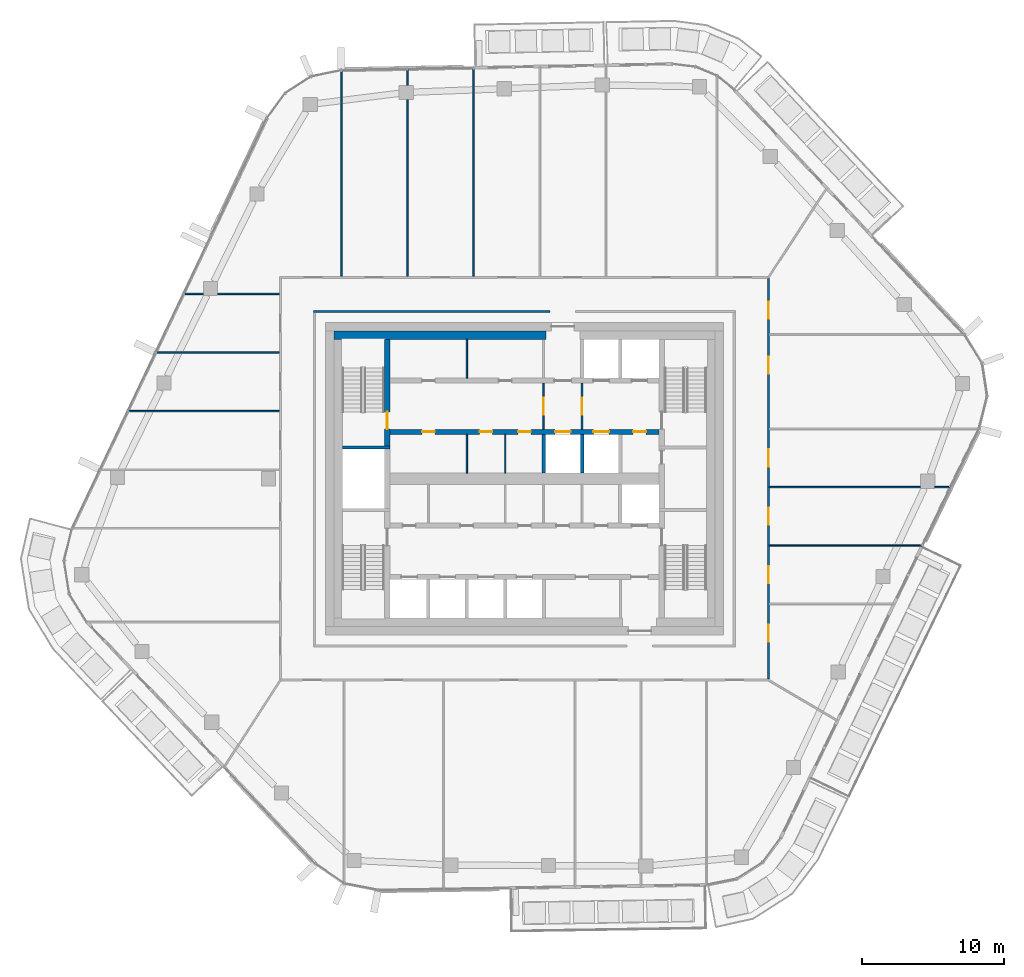
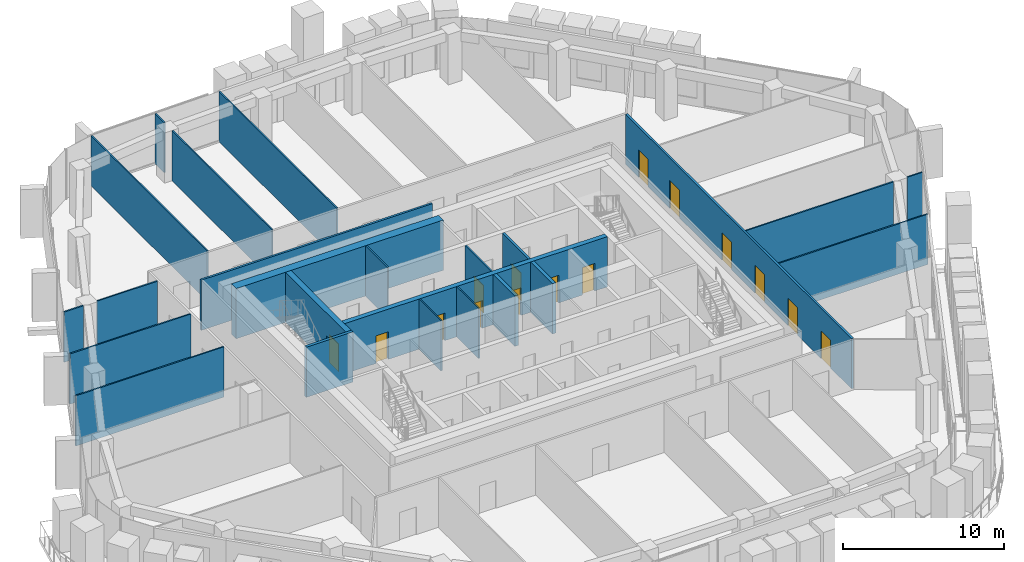
# One storey, part 15 of 24: 24 walls, 15 doors, 15 openings.
"""IFC4 building model written with IfcOpenShell, lengths in metres."""

from ifc_helpers import new_model, si_unit, direction, frame, frame_2d, origin, place, context, subcontext, project, spatial, rectangle, extrude, material, layer, layer_set, type_object, element, fill, save


model = new_model("IFC4")

# Units and contexts
model_context = context("Model", 3, precision=1e-05, world=origin(), true_north=direction((0.0, 1.0)))
body_context = subcontext(model_context, "Body", "Model", "MODEL_VIEW")
ifc_project = project(units=[si_unit("LENGTHUNIT", "METRE"), si_unit("AREAUNIT", "SQUARE_METRE"), si_unit("VOLUMEUNIT", "CUBIC_METRE"), si_unit("PLANEANGLEUNIT", "RADIAN"), si_unit("MASSUNIT", "GRAM", prefix="KILO")], contexts=[model_context])

# Site, building, storey
site_placement = place(None, origin())
site = spatial("IfcSite", under=ifc_project, at=site_placement, CompositionType="ELEMENT")
building_placement = place(site_placement, origin())
building = spatial("IfcBuilding", under=site, at=building_placement, Name="Dongbaek Canopy Tower", CompositionType="ELEMENT")
storey_placement = place(building_placement, frame((0.0, 0.0, 302.60009765625)))
storey = spatial("IfcBuildingStorey", under=building, at=storey_placement, Name="L64", CompositionType="ELEMENT", Elevation=302.60009765625)

# Wall, openings, doors
ifc_material_1 = material(Name="Concrete C60/75", Category="concrete")
ifc_layer_1 = layer(ifc_material_1, 0.35009765625)
ifc_layer_set_1 = layer_set([ifc_layer_1], Name="Core lobby wall 350 Concrete C60/75")
wall_type_1 = type_object("IfcWallType", Name="Core lobby wall 350 Concrete C60/75", PredefinedType="SHEAR", material=ifc_layer_set_1)
wall_1_placement = place(storey_placement, frame((9.449951171875, 3.300048828125, 0.0), z_axis=(0.0, 0.0, 1.0), x_axis=(-1.0, 0.0, 0.0)))
wall_1 = element("IfcWall", 1, at=wall_1_placement, inside=storey, type_object=wall_type_1, Name="Core wall", PredefinedType="SHEAR", context=body_context, shape_type="SweptSolid", body=[
    extrude(rectangle(XDim=18.89990234375, YDim=0.35009765625, at=frame_2d((9.449951171875, 0.0))), origin(), (0.0, 0.0, 1.0), 3.81982421875),
])
opening_1_placement = place(wall_1_placement, frame((6.199951171875, 0.0, 0.0)))
opening_1 = element("IfcOpeningElement", 2, at=opening_1_placement, cuts=wall_1, Name="Opening L64-D031", PredefinedType="OPENING", context=body_context, shape_type="SweptSolid", body=[
    extrude(rectangle(XDim=1.10009765625, YDim=2.10009765625, at=frame_2d((0.550048828125, 1.050048828125))), frame((0.0, 0.18505859375, 0.0), z_axis=(0.0, -1.0, 0.0), x_axis=(1.0, 0.0, 0.0)), (0.0, 0.0, 1.0), 0.3701171875),
])
opening_2_placement = place(wall_1_placement, frame((3.5, 0.0, 0.0)))
opening_2 = element("IfcOpeningElement", 3, at=opening_2_placement, cuts=wall_1, Name="Opening L64-D032", PredefinedType="OPENING", context=body_context, shape_type="SweptSolid", body=[
    extrude(rectangle(XDim=1.10009765625, YDim=2.10009765625, at=frame_2d((0.550048828125, 1.050048828125))), frame((0.0, 0.18505859375, 0.0), z_axis=(0.0, -1.0, 0.0), x_axis=(1.0, 0.0, 0.0)), (0.0, 0.0, 1.0), 0.3701171875),
])
opening_3_placement = place(wall_1_placement, frame((0.89990234375, 0.0, 0.0)))
opening_3 = element("IfcOpeningElement", 4, at=opening_3_placement, cuts=wall_1, Name="Opening L64-D033", PredefinedType="OPENING", context=body_context, shape_type="SweptSolid", body=[
    extrude(rectangle(XDim=0.89990234375, YDim=2.10009765625, at=frame_2d((0.449951171875, 1.050048828125))), frame((0.0, 0.18505859375, 0.0), z_axis=(0.0, -1.0, 0.0), x_axis=(1.0, 0.0, 0.0)), (0.0, 0.0, 1.0), 0.3701171875),
])
opening_4_placement = place(wall_1_placement, frame((15.75, 0.0, 0.0)))
opening_4 = element("IfcOpeningElement", 5, at=opening_4_placement, cuts=wall_1, Name="Opening L64-D043", PredefinedType="OPENING", context=body_context, shape_type="SweptSolid", body=[
    extrude(rectangle(XDim=0.89990234375, YDim=2.10009765625, at=frame_2d((0.449951171875, 1.050048828125))), frame((0.0, 0.18505859375, 0.0), z_axis=(0.0, -1.0, 0.0), x_axis=(1.0, 0.0, 0.0)), (0.0, 0.0, 1.0), 0.3701171875),
])
opening_5_placement = place(wall_1_placement, frame((11.699951171875, 0.0, 0.0)))
opening_5 = element("IfcOpeningElement", 6, at=opening_5_placement, cuts=wall_1, Name="Opening L64-D044", PredefinedType="OPENING", context=body_context, shape_type="SweptSolid", body=[
    extrude(rectangle(XDim=0.89990234375, YDim=2.10009765625, at=frame_2d((0.449951171875, 1.050048828125))), frame((0.0, 0.18505859375, 0.0), z_axis=(0.0, -1.0, 0.0), x_axis=(1.0, 0.0, 0.0)), (0.0, 0.0, 1.0), 0.3701171875),
])
opening_6_placement = place(wall_1_placement, frame((9.0, 0.0, 0.0)))
opening_6 = element("IfcOpeningElement", 7, at=opening_6_placement, cuts=wall_1, Name="Opening L64-D045", PredefinedType="OPENING", context=body_context, shape_type="SweptSolid", body=[
    extrude(rectangle(XDim=0.89990234375, YDim=2.10009765625, at=frame_2d((0.449951171875, 1.050048828125))), frame((0.0, 0.18505859375, 0.0), z_axis=(0.0, -1.0, 0.0), x_axis=(1.0, 0.0, 0.0)), (0.0, 0.0, 1.0), 0.3701171875),
])
ifc_material_2 = material(Name="Steel", Category="steel")
door_type_1 = type_object("IfcDoorType", Name="Core room door 900 x 2100", OperationType="SINGLE_SWING_LEFT", PredefinedType="DOOR", material=ifc_material_2)
door_1_placement = place(opening_3_placement, origin())
door_1 = element("IfcDoor", 8, at=door_1_placement, inside=storey, type_object=door_type_1, Name="Door L64-D033", OperationType="SINGLE_SWING_LEFT", OverallHeight=2.10009765625, OverallWidth=0.89990234375, PredefinedType="DOOR", context=body_context, shape_type="SweptSolid", body=[
    extrude(rectangle(XDim=0.89990234375, YDim=2.10009765625, at=frame_2d((0.449951171875, 1.050048828125))), frame((0.0, 0.02490234375, 0.0), z_axis=(0.0, -1.0, 0.0), x_axis=(1.0, 0.0, 0.0)), (0.0, 0.0, 1.0), 0.050048828125),
])
fill(opening_3, door_1)
door_2_placement = place(opening_4_placement, origin())
door_2 = element("IfcDoor", 9, at=door_2_placement, inside=storey, type_object=door_type_1, Name="Door L64-D043", OperationType="SINGLE_SWING_RIGHT", OverallHeight=2.10009765625, OverallWidth=0.89990234375, PredefinedType="DOOR", context=body_context, shape_type="SweptSolid", body=[
    extrude(rectangle(XDim=0.89990234375, YDim=2.10009765625, at=frame_2d((0.449951171875, 1.050048828125))), frame((0.0, 0.02490234375, 0.0), z_axis=(0.0, -1.0, 0.0), x_axis=(1.0, 0.0, 0.0)), (0.0, 0.0, 1.0), 0.050048828125),
])
fill(opening_4, door_2)
door_3_placement = place(opening_5_placement, origin())
door_3 = element("IfcDoor", 10, at=door_3_placement, inside=storey, type_object=door_type_1, Name="Door L64-D044", OperationType="SINGLE_SWING_LEFT", OverallHeight=2.10009765625, OverallWidth=0.89990234375, PredefinedType="DOOR", context=body_context, shape_type="SweptSolid", body=[
    extrude(rectangle(XDim=0.89990234375, YDim=2.10009765625, at=frame_2d((0.449951171875, 1.050048828125))), frame((0.0, 0.02490234375, 0.0), z_axis=(0.0, -1.0, 0.0), x_axis=(1.0, 0.0, 0.0)), (0.0, 0.0, 1.0), 0.050048828125),
])
fill(opening_5, door_3)
door_4_placement = place(opening_6_placement, origin())
door_4 = element("IfcDoor", 11, at=door_4_placement, inside=storey, type_object=door_type_1, Name="Door L64-D045", OperationType="SINGLE_SWING_RIGHT", OverallHeight=2.10009765625, OverallWidth=0.89990234375, PredefinedType="DOOR", context=body_context, shape_type="SweptSolid", body=[
    extrude(rectangle(XDim=0.89990234375, YDim=2.10009765625, at=frame_2d((0.449951171875, 1.050048828125))), frame((0.0, 0.02490234375, 0.0), z_axis=(0.0, -1.0, 0.0), x_axis=(1.0, 0.0, 0.0)), (0.0, 0.0, 1.0), 0.050048828125),
])
fill(opening_6, door_4)
ifc_material_3 = material(Name="Stainless steel", Category="steel")
door_type_2 = type_object("IfcDoorType", Name="Lift landing door 1100 x 2100", OperationType="DOUBLE_DOOR_SLIDING", PredefinedType="DOOR", material=ifc_material_3)
door_5_placement = place(opening_1_placement, origin())
door_5 = element("IfcDoor", 12, at=door_5_placement, inside=storey, type_object=door_type_2, Name="Landing door SV1", OperationType="DOUBLE_DOOR_SLIDING", OverallHeight=2.10009765625, OverallWidth=1.10009765625, PredefinedType="DOOR", context=body_context, shape_type="SweptSolid", body=[
    extrude(rectangle(XDim=1.10009765625, YDim=2.10009765625, at=frame_2d((0.550048828125, 1.050048828125))), frame((0.0, 0.02490234375, 0.0), z_axis=(0.0, -1.0, 0.0), x_axis=(1.0, 0.0, 0.0)), (0.0, 0.0, 1.0), 0.050048828125),
])
fill(opening_1, door_5)
door_6_placement = place(opening_2_placement, origin())
door_6 = element("IfcDoor", 13, at=door_6_placement, inside=storey, type_object=door_type_2, Name="Landing door FF3", OperationType="DOUBLE_DOOR_SLIDING", OverallHeight=2.10009765625, OverallWidth=1.10009765625, PredefinedType="DOOR", context=body_context, shape_type="SweptSolid", body=[
    extrude(rectangle(XDim=1.10009765625, YDim=2.10009765625, at=frame_2d((0.550048828125, 1.050048828125))), frame((0.0, 0.02490234375, 0.0), z_axis=(0.0, -1.0, 0.0), x_axis=(1.0, 0.0, 0.0)), (0.0, 0.0, 1.0), 0.050048828125),
])
fill(opening_2, door_6)

# Walls
ifc_material_4 = material(Name="Concrete C60/75", Category="concrete")
ifc_layer_2 = layer(ifc_material_4, 0.60009765625)
ifc_layer_set_2 = layer_set([ifc_layer_2], Name="Core wall lining 600 Concrete C60/75")
wall_type_2 = type_object("IfcWallType", Name="Core wall lining 600 Concrete C60/75", PredefinedType="SHEAR", material=ifc_layer_set_2)
wall_2_placement = place(storey_placement, frame((-13.39990234375, 10.10009765625, 0.0), z_axis=(0.0, 0.0, 1.0), x_axis=(1.0, 0.0, 0.0)))
element("IfcWall", 14, at=wall_2_placement, inside=storey, type_object=wall_type_2, Name="Core wall lining", PredefinedType="SHEAR", context=body_context, shape_type="SweptSolid", body=[
    extrude(rectangle(XDim=14.89990234375, YDim=0.60009765625, at=frame_2d((7.449951171875, 0.0))), origin(), (0.0, 0.0, 1.0), 3.81982421875),
])
ifc_material_5 = material(Name="Gypsum board partition, steel stud, 2 x 15 mm fire board", Category="steel")
ifc_layer_3 = layer(ifc_material_5, 0.14990234375)
ifc_layer_set_3 = layer_set([ifc_layer_3], Name="Fire-rated partition 150 gypsum board")
wall_type_3 = type_object("IfcWallType", Name="Fire-rated partition 150 gypsum board", PredefinedType="PARTITIONING", material=ifc_layer_set_3)
wall_3_placement = place(storey_placement, frame((-14.824951171875, 11.75, 0.0), z_axis=(0.0, 0.0, 1.0), x_axis=(1.0, 0.0, 0.0)))
element("IfcWall", 15, at=wall_3_placement, inside=storey, type_object=wall_type_3, Name="Corridor partition", PredefinedType="PARTITIONING", context=body_context, shape_type="SweptSolid", body=[
    extrude(rectangle(XDim=16.625, YDim=0.14990234375, at=frame_2d((8.3125, 0.0))), origin(), (0.0, 0.0, 1.0), 3.81982421875),
])

# Wall, openings, doors
wall_4_placement = place(storey_placement, frame((17.14990234375, 14.074951171875, 0.0), z_axis=(0.0, 0.0, 1.0), x_axis=(0.0, -1.0, 0.0)))
wall_4 = element("IfcWall", 16, at=wall_4_placement, inside=storey, type_object=wall_type_3, Name="Corridor partition", PredefinedType="PARTITIONING", context=body_context, shape_type="SweptSolid", body=[
    extrude(rectangle(XDim=28.14990234375, YDim=0.14990234375, at=frame_2d((14.074951171875, 0.0))), origin(), (0.0, 0.0, 1.0), 3.81982421875),
])
opening_7_placement = place(wall_4_placement, frame((24.325927734375, 0.0, 0.0)))
opening_7 = element("IfcOpeningElement", 17, at=opening_7_placement, cuts=wall_4, Name="Opening L64-D010", PredefinedType="OPENING", context=body_context, shape_type="SweptSolid", body=[
    extrude(rectangle(XDim=1.199951171875, YDim=2.10009765625, at=frame_2d((0.60009765625, 1.050048828125))), frame((0.0, 0.0849609375, 0.0), z_axis=(0.0, -1.0, 0.0), x_axis=(1.0, 0.0, 0.0)), (0.0, 0.0, 1.0), 0.169921875),
])
opening_8_placement = place(wall_4_placement, frame((20.219970703125, 0.0, 0.0)))
opening_8 = element("IfcOpeningElement", 18, at=opening_8_placement, cuts=wall_4, Name="Opening L64-D011", PredefinedType="OPENING", context=body_context, shape_type="SweptSolid", body=[
    extrude(rectangle(XDim=1.199951171875, YDim=2.10009765625, at=frame_2d((0.60009765625, 1.050048828125))), frame((0.0, 0.0849609375, 0.0), z_axis=(0.0, -1.0, 0.0), x_axis=(1.0, 0.0, 0.0)), (0.0, 0.0, 1.0), 0.169921875),
])
opening_9_placement = place(wall_4_placement, frame((16.114013671875, 0.0, 0.0)))
opening_9 = element("IfcOpeningElement", 19, at=opening_9_placement, cuts=wall_4, Name="Opening L64-D012", PredefinedType="OPENING", context=body_context, shape_type="SweptSolid", body=[
    extrude(rectangle(XDim=1.199951171875, YDim=2.10009765625, at=frame_2d((0.60009765625, 1.050048828125))), frame((0.0, 0.0849609375, 0.0), z_axis=(0.0, -1.0, 0.0), x_axis=(1.0, 0.0, 0.0)), (0.0, 0.0, 1.0), 0.169921875),
])
opening_10_placement = place(wall_4_placement, frame((12.012451171875, 0.0, 0.0)))
opening_10 = element("IfcOpeningElement", 20, at=opening_10_placement, cuts=wall_4, Name="Opening L64-D013", PredefinedType="OPENING", context=body_context, shape_type="SweptSolid", body=[
    extrude(rectangle(XDim=1.199951171875, YDim=2.10009765625, at=frame_2d((0.60009765625, 1.050048828125))), frame((0.0, 0.0849609375, 0.0), z_axis=(0.0, -1.0, 0.0), x_axis=(1.0, 0.0, 0.0)), (0.0, 0.0, 1.0), 0.169921875),
])
opening_11_placement = place(wall_4_placement, frame((5.50439453125, 0.0, 0.0)))
opening_11 = element("IfcOpeningElement", 21, at=opening_11_placement, cuts=wall_4, Name="Opening L64-D014", PredefinedType="OPENING", context=body_context, shape_type="SweptSolid", body=[
    extrude(rectangle(XDim=1.199951171875, YDim=2.10009765625, at=frame_2d((0.60009765625, 1.050048828125))), frame((0.0, 0.0849609375, 0.0), z_axis=(0.0, -1.0, 0.0), x_axis=(1.0, 0.0, 0.0)), (0.0, 0.0, 1.0), 0.169921875),
])
opening_12_placement = place(wall_4_placement, frame((1.6220703125, 0.0, 0.0)))
opening_12 = element("IfcOpeningElement", 22, at=opening_12_placement, cuts=wall_4, Name="Opening L64-D015", PredefinedType="OPENING", context=body_context, shape_type="SweptSolid", body=[
    extrude(rectangle(XDim=1.199951171875, YDim=2.10009765625, at=frame_2d((0.60009765625, 1.050048828125))), frame((0.0, 0.0849609375, 0.0), z_axis=(0.0, -1.0, 0.0), x_axis=(1.0, 0.0, 0.0)), (0.0, 0.0, 1.0), 0.169921875),
])
ifc_material_6 = material(Name="Timber veneered door leaf", Category="wood")
door_type_3 = type_object("IfcDoorType", Name="Room door 1200 x 2100", OperationType="SINGLE_SWING_LEFT", PredefinedType="DOOR", material=ifc_material_6)
door_7_placement = place(opening_7_placement, origin())
door_7 = element("IfcDoor", 23, at=door_7_placement, inside=storey, type_object=door_type_3, Name="Door L64-D010", OperationType="SINGLE_SWING_LEFT", OverallHeight=2.10009765625, OverallWidth=1.199951171875, PredefinedType="DOOR", context=body_context, shape_type="SweptSolid", body=[
    extrude(rectangle(XDim=1.199951171875, YDim=2.10009765625, at=frame_2d((0.60009765625, 1.050048828125))), frame((0.0, 0.02490234375, 0.0), z_axis=(0.0, -1.0, 0.0), x_axis=(1.0, 0.0, 0.0)), (0.0, 0.0, 1.0), 0.050048828125),
])
fill(opening_7, door_7)
door_8_placement = place(opening_8_placement, origin())
door_8 = element("IfcDoor", 24, at=door_8_placement, inside=storey, type_object=door_type_3, Name="Door L64-D011", OperationType="SINGLE_SWING_RIGHT", OverallHeight=2.10009765625, OverallWidth=1.199951171875, PredefinedType="DOOR", context=body_context, shape_type="SweptSolid", body=[
    extrude(rectangle(XDim=1.199951171875, YDim=2.10009765625, at=frame_2d((0.60009765625, 1.050048828125))), frame((0.0, 0.02490234375, 0.0), z_axis=(0.0, -1.0, 0.0), x_axis=(1.0, 0.0, 0.0)), (0.0, 0.0, 1.0), 0.050048828125),
])
fill(opening_8, door_8)
door_9_placement = place(opening_9_placement, origin())
door_9 = element("IfcDoor", 25, at=door_9_placement, inside=storey, type_object=door_type_3, Name="Door L64-D012", OperationType="SINGLE_SWING_LEFT", OverallHeight=2.10009765625, OverallWidth=1.199951171875, PredefinedType="DOOR", context=body_context, shape_type="SweptSolid", body=[
    extrude(rectangle(XDim=1.199951171875, YDim=2.10009765625, at=frame_2d((0.60009765625, 1.050048828125))), frame((0.0, 0.02490234375, 0.0), z_axis=(0.0, -1.0, 0.0), x_axis=(1.0, 0.0, 0.0)), (0.0, 0.0, 1.0), 0.050048828125),
])
fill(opening_9, door_9)
door_10_placement = place(opening_10_placement, origin())
door_10 = element("IfcDoor", 26, at=door_10_placement, inside=storey, type_object=door_type_3, Name="Door L64-D013", OperationType="SINGLE_SWING_RIGHT", OverallHeight=2.10009765625, OverallWidth=1.199951171875, PredefinedType="DOOR", context=body_context, shape_type="SweptSolid", body=[
    extrude(rectangle(XDim=1.199951171875, YDim=2.10009765625, at=frame_2d((0.60009765625, 1.050048828125))), frame((0.0, 0.02490234375, 0.0), z_axis=(0.0, -1.0, 0.0), x_axis=(1.0, 0.0, 0.0)), (0.0, 0.0, 1.0), 0.050048828125),
])
fill(opening_10, door_10)
door_11_placement = place(opening_11_placement, origin())
door_11 = element("IfcDoor", 27, at=door_11_placement, inside=storey, type_object=door_type_3, Name="Door L64-D014", OperationType="SINGLE_SWING_LEFT", OverallHeight=2.10009765625, OverallWidth=1.199951171875, PredefinedType="DOOR", context=body_context, shape_type="SweptSolid", body=[
    extrude(rectangle(XDim=1.199951171875, YDim=2.10009765625, at=frame_2d((0.60009765625, 1.050048828125))), frame((0.0, 0.02490234375, 0.0), z_axis=(0.0, -1.0, 0.0), x_axis=(1.0, 0.0, 0.0)), (0.0, 0.0, 1.0), 0.050048828125),
])
fill(opening_11, door_11)
door_12_placement = place(opening_12_placement, origin())
door_12 = element("IfcDoor", 28, at=door_12_placement, inside=storey, type_object=door_type_3, Name="Door L64-D015", OperationType="SINGLE_SWING_RIGHT", OverallHeight=2.10009765625, OverallWidth=1.199951171875, PredefinedType="DOOR", context=body_context, shape_type="SweptSolid", body=[
    extrude(rectangle(XDim=1.199951171875, YDim=2.10009765625, at=frame_2d((0.60009765625, 1.050048828125))), frame((0.0, 0.02490234375, 0.0), z_axis=(0.0, -1.0, 0.0), x_axis=(1.0, 0.0, 0.0)), (0.0, 0.0, 1.0), 0.050048828125),
])
fill(opening_12, door_12)

# Wall, opening, door
wall_5_placement = place(storey_placement, frame((4.050048828125, 6.72509765625, 0.0), z_axis=(0.0, 0.0, 1.0), x_axis=(0.0, -1.0, 0.0)))
wall_5 = element("IfcWall", 29, at=wall_5_placement, inside=storey, type_object=wall_type_3, Name="Fire lobby partition", PredefinedType="PARTITIONING", context=body_context, shape_type="SweptSolid", body=[
    extrude(rectangle(XDim=3.25, YDim=0.14990234375, at=frame_2d((1.625, 0.0))), origin(), (0.0, 0.0, 1.0), 3.81982421875),
])
opening_13_placement = place(wall_5_placement, frame((1.02490234375, 0.0, 0.0)))
opening_13 = element("IfcOpeningElement", 30, at=opening_13_placement, cuts=wall_5, Name="Opening L64-D057", PredefinedType="OPENING", context=body_context, shape_type="SweptSolid", body=[
    extrude(rectangle(XDim=1.199951171875, YDim=2.10009765625, at=frame_2d((0.60009765625, 1.050048828125))), frame((0.0, 0.0849609375, 0.0), z_axis=(0.0, -1.0, 0.0), x_axis=(1.0, 0.0, 0.0)), (0.0, 0.0, 1.0), 0.169921875),
])
ifc_material_7 = material(Name="Steel", Category="steel")
door_type_4 = type_object("IfcDoorType", Name="Fire lobby door 1200 x 2100", OperationType="SINGLE_SWING_LEFT", PredefinedType="DOOR", material=ifc_material_7)
door_13_placement = place(opening_13_placement, origin())
door_13 = element("IfcDoor", 31, at=door_13_placement, inside=storey, type_object=door_type_4, Name="Door L64-D057", OperationType="SINGLE_SWING_RIGHT", OverallHeight=2.10009765625, OverallWidth=1.199951171875, PredefinedType="DOOR", context=body_context, shape_type="SweptSolid", body=[
    extrude(rectangle(XDim=1.199951171875, YDim=2.10009765625, at=frame_2d((0.60009765625, 1.050048828125))), frame((0.0, 0.02490234375, 0.0), z_axis=(0.0, -1.0, 0.0), x_axis=(1.0, 0.0, 0.0)), (0.0, 0.0, 1.0), 0.050048828125),
])
fill(opening_13, door_13)

# Walls
ifc_material_8 = material(Name="Concrete C40/50", Category="concrete")
ifc_layer_4 = layer(ifc_material_8, 0.25)
ifc_layer_set_4 = layer_set([ifc_layer_4], Name="Lift shaft wall 250 Concrete C40/50")
wall_type_4 = type_object("IfcWallType", Name="Lift shaft wall 250 Concrete C40/50", PredefinedType="SOLIDWALL", material=ifc_layer_set_4)
for number, where, z_axis, x_axis, name in (
    (32, (4.050048828125, 0.39990234375, 0.0), (0.0, 0.0, 1.0), (0.0, 1.0, 0.0), "Lift shaft wall"),
    (33, (1.35009765625, 0.39990234375, 0.0), (0.0, 0.0, 1.0), (0.0, 1.0, 0.0), "Lift shaft wall"),
):
    element("IfcWall", number, at=place(storey_placement, frame(where, z_axis=z_axis, x_axis=x_axis)), inside=storey, type_object=wall_type_4, Name=name, PredefinedType="SOLIDWALL", context=body_context, shape_type="SweptSolid", body=[
        extrude(rectangle(XDim=2.72509765625, YDim=0.25, at=frame_2d((1.362548828125, 0.0))), origin(), (0.0, 0.0, 1.0), 3.81982421875),
    ])
ifc_material_9 = material(Name="Gypsum board partition, steel stud, 2 x 12.5 mm board", Category="steel")
ifc_layer_5 = layer(ifc_material_9, 0.10009765625)
ifc_layer_set_5 = layer_set([ifc_layer_5], Name="Partition 100 gypsum board")
wall_type_5 = type_object("IfcWallType", Name="Partition 100 gypsum board", PredefinedType="PARTITIONING", material=ifc_layer_set_5)
wall_6_placement = place(storey_placement, frame((17.22509765625, -4.69189453125, 0.0), z_axis=(0.0, 0.0, 1.0), x_axis=(1.0, 0.0, 0.0)))
element("IfcWall", 34, at=wall_6_placement, inside=storey, type_object=wall_type_5, Name="Partition", PredefinedType="PARTITIONING", context=body_context, shape_type="SweptSolid", body=[
    extrude(rectangle(XDim=10.723388671875, YDim=0.10009765625, at=frame_2d((5.36181640625, 0.0))), origin(), (0.0, 0.0, 1.0), 3.81982421875),
])
wall_7_placement = place(storey_placement, frame((17.22509765625, -0.5859375, 0.0), z_axis=(0.0, 0.0, 1.0), x_axis=(1.0, 0.0, 0.0)))
element("IfcWall", 35, at=wall_7_placement, inside=storey, type_object=wall_type_5, Name="Partition", PredefinedType="PARTITIONING", context=body_context, shape_type="SweptSolid", body=[
    extrude(rectangle(XDim=10.6259765625, YDim=0.10009765625, at=frame_2d((5.31298828125, 0.0))), origin(), (0.0, 0.0, 1.0), 3.81982421875),
])
wall_8_placement = place(storey_placement, frame((28.85107421875, -0.5859375, 0.0), z_axis=(0.0, 0.0, 1.0), x_axis=(1.0, 0.0, 0.0)))
element("IfcWall", 36, at=wall_8_placement, inside=storey, type_object=wall_type_5, Name="Partition", PredefinedType="PARTITIONING", context=body_context, shape_type="SweptSolid", body=[
    extrude(rectangle(XDim=1.0859375, YDim=0.10009765625, at=frame_2d((0.54296875, 0.0))), origin(), (0.0, 0.0, 1.0), 3.81982421875),
])
wall_9_placement = place(storey_placement, frame((-27.86669921875, 4.7548828125, 0.0), z_axis=(0.0, 0.0, 1.0), x_axis=(1.0, 0.0, 0.0)))
element("IfcWall", 37, at=wall_9_placement, inside=storey, type_object=wall_type_5, Name="Partition", PredefinedType="PARTITIONING", context=body_context, shape_type="SweptSolid", body=[
    extrude(rectangle(XDim=10.6416015625, YDim=0.10009765625, at=frame_2d((5.32080078125, 0.0))), origin(), (0.0, 0.0, 1.0), 3.81982421875),
])
wall_10_placement = place(storey_placement, frame((-25.909423828125, 8.875, 0.0), z_axis=(0.0, 0.0, 1.0), x_axis=(1.0, 0.0, 0.0)))
element("IfcWall", 38, at=wall_10_placement, inside=storey, type_object=wall_type_5, Name="Partition", PredefinedType="PARTITIONING", context=body_context, shape_type="SweptSolid", body=[
    extrude(rectangle(XDim=8.684326171875, YDim=0.10009765625, at=frame_2d((4.34228515625, 0.0))), origin(), (0.0, 0.0, 1.0), 3.81982421875),
])
wall_11_placement = place(storey_placement, frame((-23.9521484375, 12.9951171875, 0.0), z_axis=(0.0, 0.0, 1.0), x_axis=(1.0, 0.0, 0.0)))
element("IfcWall", 39, at=wall_11_placement, inside=storey, type_object=wall_type_5, Name="Partition", PredefinedType="PARTITIONING", context=body_context, shape_type="SweptSolid", body=[
    extrude(rectangle(XDim=1.376220703125, YDim=0.10009765625, at=frame_2d((0.68798828125, 0.0))), origin(), (0.0, 0.0, 1.0), 3.81982421875),
])
wall_12_placement = place(storey_placement, frame((-21.575927734375, 12.9951171875, 0.0), z_axis=(0.0, 0.0, 1.0), x_axis=(1.0, 0.0, 0.0)))
element("IfcWall", 40, at=wall_12_placement, inside=storey, type_object=wall_type_5, Name="Partition", PredefinedType="PARTITIONING", context=body_context, shape_type="SweptSolid", body=[
    extrude(rectangle(XDim=4.350830078125, YDim=0.10009765625, at=frame_2d((2.17529296875, 0.0))), origin(), (0.0, 0.0, 1.0), 3.81982421875),
])
wall_13_placement = place(storey_placement, frame((-3.574951171875, 14.22509765625, 0.0), z_axis=(0.0, 0.0, 1.0), x_axis=(0.0, 1.0, 0.0)))
element("IfcWall", 41, at=wall_13_placement, inside=storey, type_object=wall_type_5, Name="Partition", PredefinedType="PARTITIONING", context=body_context, shape_type="SweptSolid", body=[
    extrude(rectangle(XDim=14.651611328125, YDim=0.10009765625, at=frame_2d((7.32568359375, 0.0))), origin(), (0.0, 0.0, 1.0), 3.81982421875),
])
wall_14_placement = place(storey_placement, frame((-8.22998046875, 14.22509765625, 0.0), z_axis=(0.0, 0.0, 1.0), x_axis=(0.0, 1.0, 0.0)))
element("IfcWall", 42, at=wall_14_placement, inside=storey, type_object=wall_type_5, Name="Partition", PredefinedType="PARTITIONING", context=body_context, shape_type="SweptSolid", body=[
    extrude(rectangle(XDim=12.43896484375, YDim=0.10009765625, at=frame_2d((6.219482421875, 0.0))), origin(), (0.0, 0.0, 1.0), 3.81982421875),
])
wall_15_placement = place(storey_placement, frame((-8.22998046875, 27.6640625, 0.0), z_axis=(0.0, 0.0, 1.0), x_axis=(0.0, 1.0, 0.0)))
element("IfcWall", 43, at=wall_15_placement, inside=storey, type_object=wall_type_5, Name="Partition", PredefinedType="PARTITIONING", context=body_context, shape_type="SweptSolid", body=[
    extrude(rectangle(XDim=1.124755859375, YDim=0.10009765625, at=frame_2d((0.5625, 0.0))), origin(), (0.0, 0.0, 1.0), 3.81982421875),
])
wall_16_placement = place(storey_placement, frame((-12.875, 14.22509765625, 0.0), z_axis=(0.0, 0.0, 1.0), x_axis=(0.0, 1.0, 0.0)))
element("IfcWall", 44, at=wall_16_placement, inside=storey, type_object=wall_type_5, Name="Partition", PredefinedType="PARTITIONING", context=body_context, shape_type="SweptSolid", body=[
    extrude(rectangle(XDim=14.475341796875, YDim=0.10009765625, at=frame_2d((7.23779296875, 0.0))), origin(), (0.0, 0.0, 1.0), 3.81982421875),
])

# Wall, opening, door
wall_17_placement = place(storey_placement, frame((1.35009765625, 6.72509765625, 0.0), z_axis=(0.0, 0.0, 1.0), x_axis=(0.0, -1.0, 0.0)))
wall_17 = element("IfcWall", 45, at=wall_17_placement, inside=storey, type_object=wall_type_5, Name="Core partition", PredefinedType="PARTITIONING", context=body_context, shape_type="SweptSolid", body=[
    extrude(rectangle(XDim=3.25, YDim=0.10009765625, at=frame_2d((1.625, 0.0))), origin(), (0.0, 0.0, 1.0), 3.81982421875),
])
opening_14_placement = place(wall_17_placement, frame((1.02490234375, 0.0, 0.0)))
opening_14 = element("IfcOpeningElement", 46, at=opening_14_placement, cuts=wall_17, Name="Opening L64-D056", PredefinedType="OPENING", context=body_context, shape_type="SweptSolid", body=[
    extrude(rectangle(XDim=1.199951171875, YDim=2.10009765625, at=frame_2d((0.60009765625, 1.050048828125))), frame((0.0, 0.06005859375, 0.0), z_axis=(0.0, -1.0, 0.0), x_axis=(1.0, 0.0, 0.0)), (0.0, 0.0, 1.0), 0.1201171875),
])
door_14_placement = place(opening_14_placement, origin())
door_14 = element("IfcDoor", 47, at=door_14_placement, inside=storey, type_object=door_type_4, Name="Door L64-D056", OperationType="SINGLE_SWING_LEFT", OverallHeight=2.10009765625, OverallWidth=1.199951171875, PredefinedType="DOOR", context=body_context, shape_type="SweptSolid", body=[
    extrude(rectangle(XDim=1.199951171875, YDim=2.10009765625, at=frame_2d((0.60009765625, 1.050048828125))), frame((0.0, 0.02490234375, 0.0), z_axis=(0.0, -1.0, 0.0), x_axis=(1.0, 0.0, 0.0)), (0.0, 0.0, 1.0), 0.050048828125),
])
fill(opening_14, door_14)

# Walls
for number, where, z_axis, x_axis, name in (
    (48, (-1.35009765625, 0.39990234375, 0.0), (0.0, 0.0, 1.0), (0.0, 1.0, 0.0), "Core partition"),
    (49, (-4.050048828125, 0.39990234375, 0.0), (0.0, 0.0, 1.0), (0.0, 1.0, 0.0), "Core partition"),
    (50, (-4.050048828125, 7.074951171875, 0.0), (0.0, 0.0, 1.0), (0.0, 1.0, 0.0), "Core partition"),
):
    element("IfcWall", number, at=place(storey_placement, frame(where, z_axis=z_axis, x_axis=x_axis)), inside=storey, type_object=wall_type_5, Name=name, PredefinedType="PARTITIONING", context=body_context, shape_type="SweptSolid", body=[
        extrude(rectangle(XDim=2.72509765625, YDim=0.10009765625, at=frame_2d((1.362548828125, 0.0))), origin(), (0.0, 0.0, 1.0), 3.81982421875),
    ])
ifc_material_10 = material(Name="Concrete C60/75", Category="concrete")
ifc_layer_6 = layer(ifc_material_10, 0.199951171875)
ifc_layer_set_6 = layer_set([ifc_layer_6], Name="Riser wall 200 Concrete C60/75")
wall_type_6 = type_object("IfcWallType", Name="Riser wall 200 Concrete C60/75", PredefinedType="SHEAR", material=ifc_layer_set_6)
wall_18_placement = place(storey_placement, frame((-9.449951171875, 2.199951171875, 0.0), z_axis=(0.0, 0.0, 1.0), x_axis=(-1.0, 0.0, 0.0)))
element("IfcWall", 51, at=wall_18_placement, inside=storey, type_object=wall_type_6, Name="Riser wall", PredefinedType="SHEAR", context=body_context, shape_type="SweptSolid", body=[
    extrude(rectangle(XDim=3.35009765625, YDim=0.199951171875, at=frame_2d((1.675048828125, 0.0))), origin(), (0.0, 0.0, 1.0), 3.81982421875),
])

# Wall, opening, door
ifc_material_11 = material(Name="Concrete C60/75", Category="concrete")
ifc_layer_7 = layer(ifc_material_11, 0.39990234375)
ifc_layer_set_7 = layer_set([ifc_layer_7], Name="Stair wall 400 Concrete C60/75")
wall_type_7 = type_object("IfcWallType", Name="Stair wall 400 Concrete C60/75", PredefinedType="SHEAR", material=ifc_layer_set_7)
wall_19_placement = place(storey_placement, frame((-9.64990234375, 2.300048828125, 0.0), z_axis=(0.0, 0.0, 1.0), x_axis=(0.0, 1.0, 0.0)))
wall_19 = element("IfcWall", 52, at=wall_19_placement, inside=storey, type_object=wall_type_7, Name="Stair wall", PredefinedType="SHEAR", context=body_context, shape_type="SweptSolid", body=[
    extrude(rectangle(XDim=7.5, YDim=0.39990234375, at=frame_2d((3.75, 0.0))), origin(), (0.0, 0.0, 1.0), 3.81982421875),
])
opening_15_placement = place(wall_19_placement, frame((1.199951171875, 0.0, 0.0)))
opening_15 = element("IfcOpeningElement", 53, at=opening_15_placement, cuts=wall_19, Name="Opening L64-D053", PredefinedType="OPENING", context=body_context, shape_type="SweptSolid", body=[
    extrude(rectangle(XDim=1.199951171875, YDim=2.10009765625, at=frame_2d((0.60009765625, 1.050048828125))), frame((0.0, 0.2099609375, 0.0), z_axis=(0.0, -1.0, 0.0), x_axis=(1.0, 0.0, 0.0)), (0.0, 0.0, 1.0), 0.419921875),
])
ifc_material_12 = material(Name="Steel", Category="steel")
door_type_5 = type_object("IfcDoorType", Name="Stair door 1200 x 2100", OperationType="SINGLE_SWING_LEFT", PredefinedType="DOOR", material=ifc_material_12)
door_15_placement = place(opening_15_placement, origin())
door_15 = element("IfcDoor", 54, at=door_15_placement, inside=storey, type_object=door_type_5, Name="Stair C door", OperationType="SINGLE_SWING_RIGHT", OverallHeight=2.10009765625, OverallWidth=1.199951171875, PredefinedType="DOOR", context=body_context, shape_type="SweptSolid", body=[
    extrude(rectangle(XDim=1.199951171875, YDim=2.10009765625, at=frame_2d((0.60009765625, 1.050048828125))), frame((0.0, 0.02490234375, 0.0), z_axis=(0.0, -1.0, 0.0), x_axis=(1.0, 0.0, 0.0)), (0.0, 0.0, 1.0), 0.050048828125),
])
fill(opening_15, door_15)

save(model, "model.ifc")
